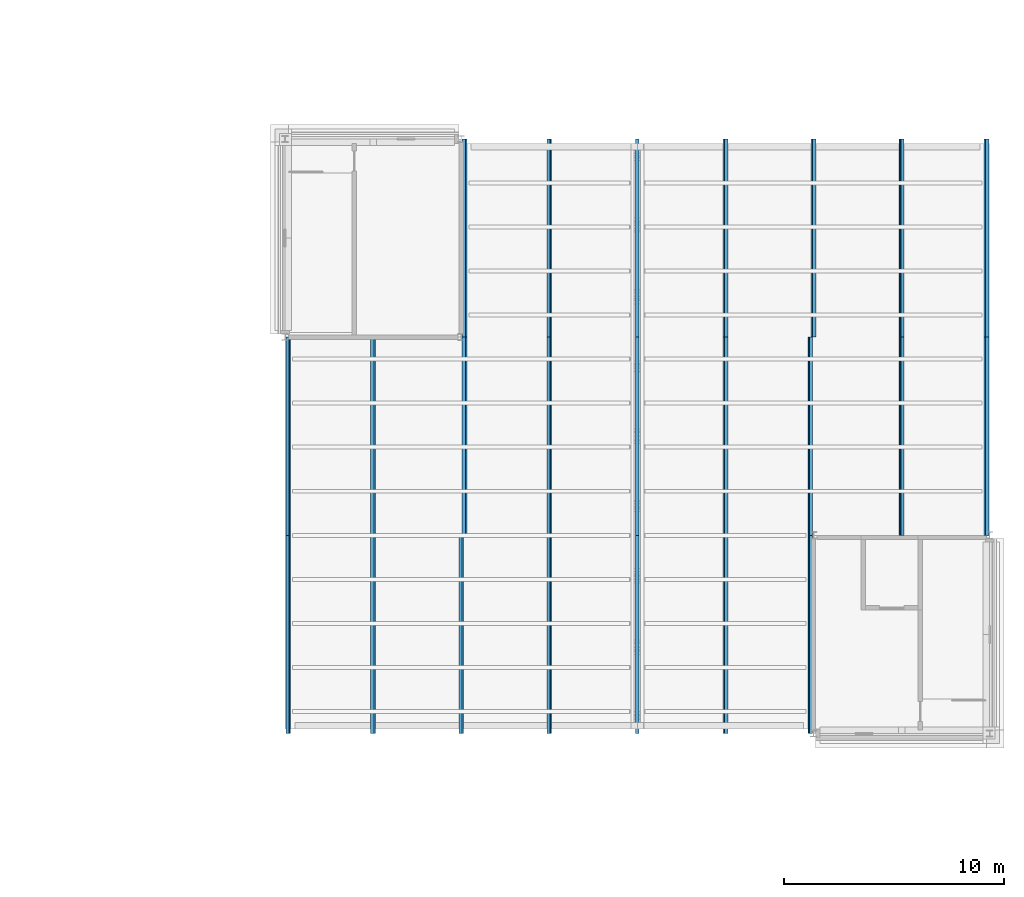
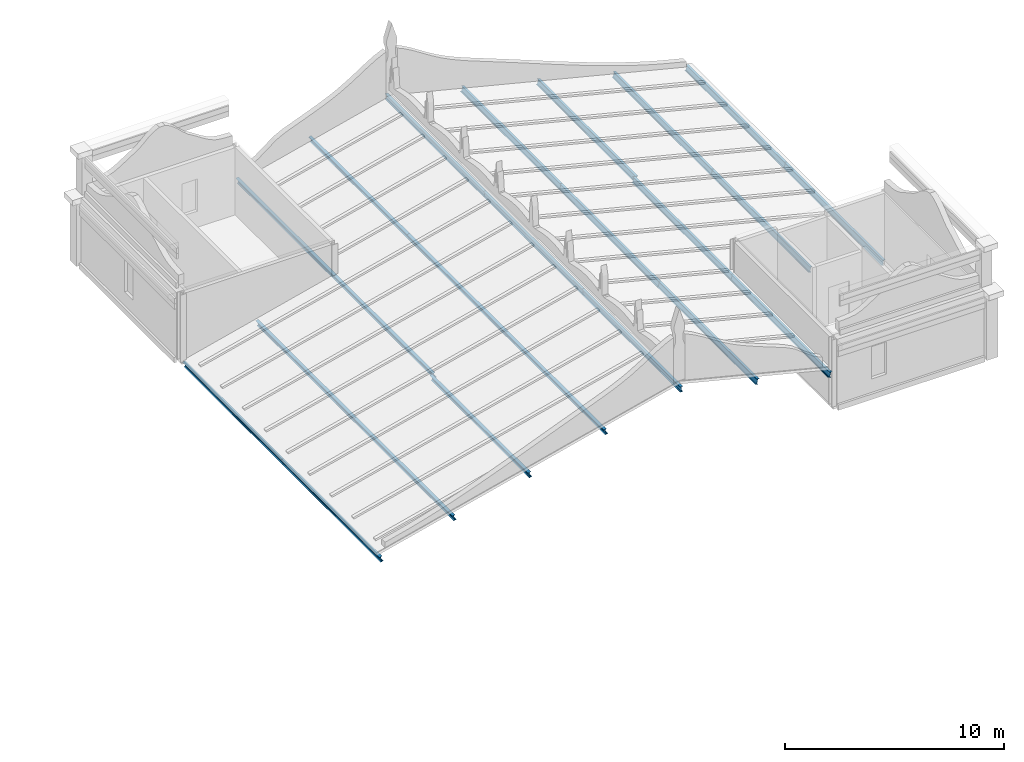
# One storey, part 55 of 111: 23 beams.
"""IFC4 building model written with IfcOpenShell, lengths in metres."""

import ifcopenshell
import ifcopenshell.guid

model = None  # the IFC model being written
_history = None  # IfcOwnerHistory: only IFC2X3 demands one
_inside = {}  # id of a spatial element -> (the spatial element, [elements in it])
_under = {}  # id of a project, library or spatial element -> (it, [spatial elements below it])
_declared = {}  # id of a project -> (the project, [libraries it declares])
_typed = {}  # id of a type object -> (the type object, [elements of that type])
_made_of = {}  # id of a material, layer set ... -> (it, [elements and type objects made of it])


def new_model(schema):
    """Start an empty IFC model of exactly this schema.

    Asked for "IFC4X3", IfcOpenShell would pick the latest addendum, in which some entities
    have other attributes; the version numbers below select the first issue.
    IFC2X3 requires an IfcOwnerHistory on every rooted entity: one is made here for all.
    """
    global model, _history
    if schema == "IFC4X3":
        model = ifcopenshell.file(schema_version=(4, 3, 0, 0))
    else:
        model = ifcopenshell.file(schema=schema)
    _inside.clear()
    _under.clear()
    _declared.clear()
    _typed.clear()
    _made_of.clear()
    _history = None
    if model.schema == "IFC2X3":
        org = make("IfcOrganization", Name="unknown")
        user = make(
            "IfcPersonAndOrganization",
            ThePerson=make("IfcPerson", FamilyName="unknown"),
            TheOrganization=org,
        )
        app = make(
            "IfcApplication",
            ApplicationDeveloper=org,
            Version="unknown",
            ApplicationFullName="unknown",
            ApplicationIdentifier="unknown",
        )
        _history = make(
            "IfcOwnerHistory",
            OwningUser=user,
            OwningApplication=app,
            ChangeAction="ADDED",
            CreationDate=0,
        )
    return model


def make(cls, **values):
    """One entity of the class cls with the attributes given. An attribute that is None is left unset."""
    return model.create_entity(
        cls, **{name: value for name, value in values.items() if value is not None}
    )


def rooted(cls, **values):
    """An entity with a GlobalId (a new one), such as an element, a storey or a relation."""
    return make(cls, GlobalId=ifcopenshell.guid.new(), OwnerHistory=_history, **values)


def si_unit(unit_type, name, prefix=None):
    """IfcSIUnit, for example si_unit("LENGTHUNIT", "METRE", prefix="MILLI")."""
    return make("IfcSIUnit", UnitType=unit_type, Prefix=prefix, Name=name)


def assignment(units):
    """IfcUnitAssignment: the units of a project."""
    return None if units is None else make("IfcUnitAssignment", Units=units)


def point(xyz):
    """IfcCartesianPoint."""
    return None if xyz is None else make("IfcCartesianPoint", Coordinates=xyz)


def direction(xyz):
    """IfcDirection."""
    return None if xyz is None else make("IfcDirection", DirectionRatios=xyz)


def frame(location, z_axis=None, x_axis=None):
    """IfcAxis2Placement3D, a coordinate frame: its origin and axes. An axis left out is left unset."""
    return make(
        "IfcAxis2Placement3D",
        Location=point(location),
        Axis=direction(z_axis),
        RefDirection=direction(x_axis),
    )


def frame_2d(location, x_axis=None):
    """IfcAxis2Placement2D, a coordinate frame in the plane: its origin and x axis."""
    return make(
        "IfcAxis2Placement2D", Location=point(location), RefDirection=direction(x_axis)
    )


def origin():
    """The frame at (0, 0, 0) with its axes left unset."""
    return frame((0.0, 0.0, 0.0))


def origin_2d():
    """The frame at (0, 0) in the plane with its x axis left unset."""
    return frame_2d((0.0, 0.0))


def place(relative_to, where):
    """IfcLocalPlacement: puts the frame where relative to a parent placement (None: the world)."""
    return make(
        "IfcLocalPlacement", PlacementRelTo=relative_to, RelativePlacement=where
    )


def context(
    kind, dimensions, precision=None, world=None, true_north=None, identifier=None
):
    """IfcGeometricRepresentationContext, for example the 3D "Model" context."""
    return make(
        "IfcGeometricRepresentationContext",
        ContextIdentifier=identifier,
        ContextType=kind,
        CoordinateSpaceDimension=dimensions,
        Precision=precision,
        WorldCoordinateSystem=world,
        TrueNorth=true_north,
    )


def subcontext(parent, identifier, kind, view, scale=None):
    """IfcGeometricRepresentationSubContext, for example "Body" below "Model"."""
    return make(
        "IfcGeometricRepresentationSubContext",
        ContextIdentifier=identifier,
        ContextType=kind,
        ParentContext=parent,
        TargetScale=scale,
        TargetView=view,
    )


def project(units=None, contexts=None):
    """IfcProject with its units and contexts."""
    return rooted(
        "IfcProject",
        Name="project",
        RepresentationContexts=contexts,
        UnitsInContext=assignment(units),
    )


def spatial(cls, under=None, at=None, **own):
    """A site, building, storey or space (cls), placed at a placement, below another one or the project."""
    s = rooted(cls, ObjectPlacement=at, **own)
    if under is not None:
        _under.setdefault(under.id(), (under, []))[1].append(s)
    return s


def profile(cls, at=None, kind="AREA", **sizes):
    """A parametric profile (cls). Its sizes go by their IFC names, for example OverallWidth=200.0."""
    return make(cls, ProfileType=kind, Position=at, **sizes)


def i_section(**sizes):
    """IfcIShapeProfileDef."""
    return profile("IfcIShapeProfileDef", **sizes)


def extrude(swept, where, along, depth):
    """IfcExtrudedAreaSolid: the profile swept, set in the frame where, extruded along a direction by depth."""
    return make(
        "IfcExtrudedAreaSolid",
        SweptArea=swept,
        Position=where,
        ExtrudedDirection=direction(along),
        Depth=depth,
    )


def shape(context_of_items, identifier, shape_type, items):
    """IfcShapeRepresentation: the items that make up one representation, for example the "Body"."""
    return make(
        "IfcShapeRepresentation",
        ContextOfItems=context_of_items,
        RepresentationIdentifier=identifier,
        RepresentationType=shape_type,
        Items=items,
    )


def material(Name=None, Category=None):
    """IfcMaterial."""
    return make("IfcMaterial", Name=Name, Category=Category)


def material_profile(
    of_material, cross_section, Name=None, Category=None, Priority=None
):
    """IfcMaterialProfile: a cross section and its material."""
    return make(
        "IfcMaterialProfile",
        Name=Name,
        Material=of_material,
        Profile=cross_section,
        Priority=Priority,
        Category=Category,
    )


def profile_set(profiles, Name=None, composite=None):
    """IfcMaterialProfileSet."""
    return make(
        "IfcMaterialProfileSet",
        Name=Name,
        MaterialProfiles=profiles,
        CompositeProfile=composite,
    )


def made_of(thing, what):
    """Note that an element or type object is made of a material, layer set ...; save() writes the relation."""
    if what is not None:
        _made_of.setdefault(what.id(), (what, []))[1].append(thing)
    return thing


def type_object(cls, material=None, **own):
    """A type object (cls), such as IfcWallType, which elements share."""
    return made_of(rooted(cls, **own), material)


def element(
    cls,
    number,
    at=None,
    inside=None,
    cuts=None,
    type_object=None,
    material=None,
    context=None,
    identifier="Body",
    shape_type=None,
    held_by="IfcProductDefinitionShape",
    body=None,
    shapes=None,
    **own,
):
    """One element of the class cls, such as IfcWall. Its Tag is "e" and its number.

    at: its placement. inside: the storey or other place that contains it. cuts: it is an
    opening in that element (IfcRelVoidsElement). A single representation is given by context,
    identifier, shape_type and body (its items); several are given by shapes. held_by: the class
    of the entity that holds the representations. save() writes the other relations.
    """
    e = rooted(cls, Tag="e%d" % number, ObjectPlacement=at, **own)
    if body is not None:
        shapes = [shape(context, identifier, shape_type, body)]
    if shapes is not None:
        e.Representation = make(held_by, Representations=shapes)
    if inside is not None:
        _inside.setdefault(inside.id(), (inside, []))[1].append(e)
    if cuts is not None:
        rooted(
            "IfcRelVoidsElement", RelatingBuildingElement=cuts, RelatedOpeningElement=e
        )
    if type_object is not None:
        _typed.setdefault(type_object.id(), (type_object, []))[1].append(e)
    return made_of(e, material)


def aggregate(whole, parts):
    """IfcRelAggregates: a whole, such as a stair, and the parts it consists of."""
    return rooted("IfcRelAggregates", RelatingObject=whole, RelatedObjects=parts)


def save(model, path):
    """Write the relations noted so far, then the file.

    IfcRelAggregates (storeys below a building ...), IfcRelContainedInSpatialStructure (elements
    in a storey), IfcRelDefinesByType, IfcRelAssociatesMaterial and IfcRelDeclares: one each for
    every whole, place, type object, material and project.
    """
    for whole, parts in _under.values():
        aggregate(whole, parts)
    for where, things in _inside.values():
        rooted(
            "IfcRelContainedInSpatialStructure",
            RelatedElements=things,
            RelatingStructure=where,
        )
    for kind, things in _typed.values():
        rooted("IfcRelDefinesByType", RelatedObjects=things, RelatingType=kind)
    for what, things in _made_of.values():
        rooted("IfcRelAssociatesMaterial", RelatedObjects=things, RelatingMaterial=what)
    for by, libraries in _declared.values():
        rooted("IfcRelDeclares", RelatingContext=by, RelatedDefinitions=libraries)
    model.write(path)


model = new_model("IFC4")

# Units and contexts
model_context = context("Model", 3, precision=1e-05, world=origin(), true_north=direction((0.0, 1.0)))
body_context = subcontext(model_context, "Body", "Model", "MODEL_VIEW")
ifc_project = project(units=[si_unit("LENGTHUNIT", "METRE"), si_unit("AREAUNIT", "SQUARE_METRE"), si_unit("VOLUMEUNIT", "CUBIC_METRE"), si_unit("PLANEANGLEUNIT", "RADIAN"), si_unit("MASSUNIT", "GRAM", prefix="KILO")], contexts=[model_context])

# Site, building, storey
site_placement = place(None, origin())
site = spatial("IfcSite", under=ifc_project, at=site_placement, CompositionType="ELEMENT")
building_placement = place(site_placement, origin())
building = spatial("IfcBuilding", under=site, at=building_placement, Name="Kallimachos Central Library", CompositionType="ELEMENT")
storey_placement = place(building_placement, frame((0.0, 0.0, 14.39990234375)))
storey = spatial("IfcBuildingStorey", under=building, at=storey_placement, Name="L03", CompositionType="ELEMENT", Elevation=14.39990234375)

# Beams
ifc_material = material(Name="Steel S355J2", Category="steel")
ifc_material_profile = material_profile(ifc_material, i_section(OverallWidth=0.14990234375, OverallDepth=0.300048828125, WebThickness=0.007080078125, FlangeThickness=0.0107421875, FilletRadius=0.014892578125, at=origin_2d()), Name="IPE 300")
ifc_profile_set = profile_set([ifc_material_profile], Name="Steel S355J2")
beam_type = type_object("IfcBeamType", Name="IPE 300 purlin", PredefinedType="BEAM", material=ifc_profile_set)
for number, where, z_axis, x_axis, name in (
    (1, (138.14990234375, 87.0, -0.262451171875), (0.0, 1.0, 0.0), (-0.970142500145, 0.0, -0.242535625038), "V3-BEM-L03-001"),
    (2, (142.0, 87.0, 0.7001953125), (0.0, 1.0, 0.0), (-0.970142500145, 0.0, -0.242535625038), "V3-BEM-L03-002"),
    (3, (146.0, 87.0, 1.7001953125), (0.0, 1.0, 0.0), (-0.970142500145, 0.0, -0.242535625038), "V3-BEM-L03-003"),
    (4, (150.0, 87.0, 2.7001953125), (0.0, 1.0, 0.0), (-0.970142500145, 0.0, -0.242535625038), "V3-BEM-L03-004"),
    (5, (154.0, 87.0, 3.681396484375), (0.0, 1.0, 0.0), (-1.0, 0.0, 0.0), "V3-BEM-L03-005"),
    (6, (158.0, 87.0, 2.7001953125), (0.0, 1.0, 0.0), (-0.970142500145, 0.0, 0.242535625038), "V3-BEM-L03-006"),
    (7, (161.85009765625, 87.0, 1.737548828125), (0.0, 1.0, 0.0), (-0.970142500145, 0.0, 0.242535625038), "V3-BEM-L03-007"),
    (8, (138.14990234375, 96.0, -0.262451171875), (0.0, 1.0, 0.0), (-0.970142500145, 0.0, -0.242535625038), "V3-BEM-L03-008"),
    (9, (142.0, 96.0, 0.7001953125), (0.0, 1.0, 0.0), (-0.970142500145, 0.0, -0.242535625038), "V3-BEM-L03-009"),
    (10, (146.14990234375, 96.0, 1.737548828125), (0.0, 1.0, 0.0), (-0.970142500145, 0.0, -0.242535625038), "V3-BEM-L03-010"),
    (11, (150.0, 96.0, 2.7001953125), (0.0, 1.0, 0.0), (-0.970142500145, 0.0, -0.242535625038), "V3-BEM-L03-011"),
    (12, (154.0, 96.0, 3.681396484375), (0.0, 1.0, 0.0), (-1.0, 0.0, 0.0), "V3-BEM-L03-012"),
    (13, (158.0, 96.0, 2.7001953125), (0.0, 1.0, 0.0), (-0.970142500145, 0.0, 0.242535625038), "V3-BEM-L03-013"),
    (14, (161.85009765625, 96.0, 1.737548828125), (0.0, 1.0, 0.0), (-0.970142500145, 0.0, 0.242535625038), "V3-BEM-L03-014"),
    (15, (166.0, 96.0, 0.7001953125), (0.0, 1.0, 0.0), (-0.970142500145, 0.0, 0.242535625038), "V3-BEM-L03-015"),
    (16, (169.85009765625, 96.0, -0.262451171875), (0.0, 1.0, 0.0), (-0.970142500145, 0.0, 0.242535625038), "V3-BEM-L03-016"),
    (17, (146.14990234375, 105.0, 1.737548828125), (0.0, 1.0, 0.0), (-0.970142500145, 0.0, -0.242535625038), "V3-BEM-L03-017"),
    (18, (150.0, 105.0, 2.7001953125), (0.0, 1.0, 0.0), (-0.970142500145, 0.0, -0.242535625038), "V3-BEM-L03-018"),
    (19, (154.0, 105.0, 3.681396484375), (0.0, 1.0, 0.0), (-1.0, 0.0, 0.0), "V3-BEM-L03-019"),
    (20, (158.0, 105.0, 2.7001953125), (0.0, 1.0, 0.0), (-0.970142500145, 0.0, 0.242535625038), "V3-BEM-L03-020"),
    (21, (162.0, 105.0, 1.7001953125), (0.0, 1.0, 0.0), (-0.970142500145, 0.0, 0.242535625038), "V3-BEM-L03-021"),
    (22, (166.0, 105.0, 0.7001953125), (0.0, 1.0, 0.0), (-0.970142500145, 0.0, 0.242535625038), "V3-BEM-L03-022"),
    (23, (169.85009765625, 105.0, -0.262451171875), (0.0, 1.0, 0.0), (-0.970142500145, 0.0, 0.242535625038), "V3-BEM-L03-023"),
):
    element("IfcBeam", number, at=place(storey_placement, frame(where, z_axis=z_axis, x_axis=x_axis)), inside=storey, type_object=beam_type, Name=name, PredefinedType="BEAM", context=body_context, shape_type="SweptSolid", body=[
        extrude(i_section(OverallWidth=0.14990234375, OverallDepth=0.300048828125, WebThickness=0.007080078125, FlangeThickness=0.0107421875, FilletRadius=0.014892578125, at=origin_2d()), origin(), (0.0, 0.0, 1.0), 9.0),
    ])

save(model, "model.ifc")
